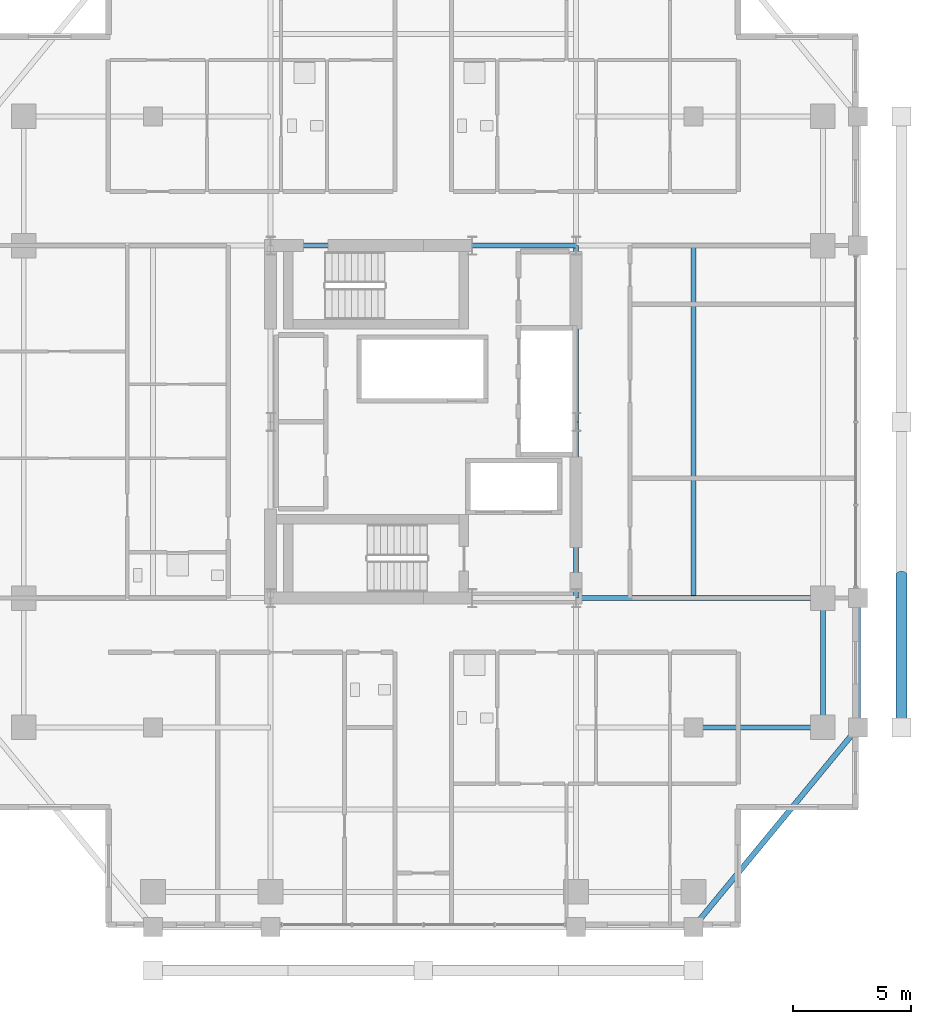
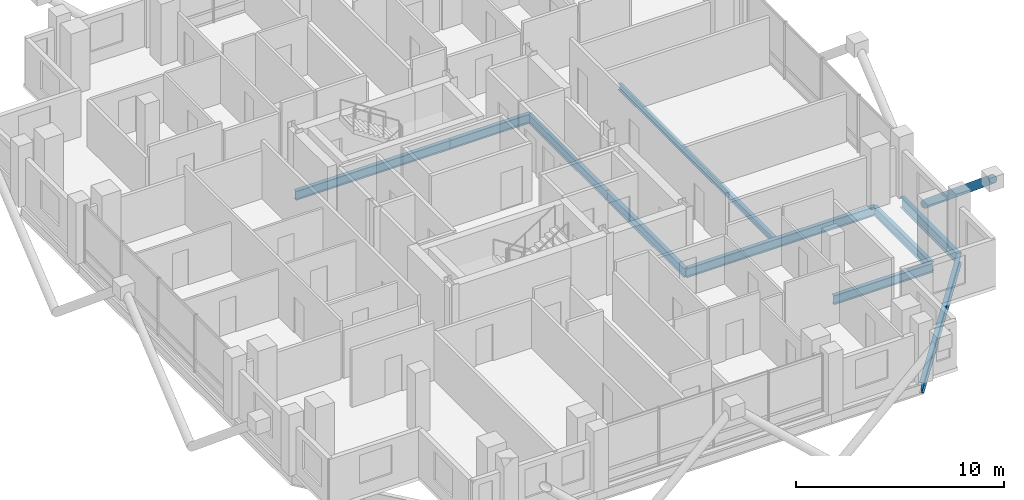
# One storey, part 9 of 24: 10 beams, 1 member.
"""IFC4 building model written with IfcOpenShell, lengths in metres."""

from ifc_helpers import new_model, si_unit, direction, frame, origin, origin_2d, place, context, subcontext, project, spatial, hollow_circle, i_section, extrude, material, material_profile, profile_set, type_object, element, save


model = new_model("IFC4")

# Units and contexts
model_context = context("Model", 3, precision=1e-05, world=origin(), true_north=direction((0.0, 1.0)))
body_context = subcontext(model_context, "Body", "Model", "MODEL_VIEW")
ifc_project = project(units=[si_unit("LENGTHUNIT", "METRE"), si_unit("AREAUNIT", "SQUARE_METRE"), si_unit("VOLUMEUNIT", "CUBIC_METRE"), si_unit("PLANEANGLEUNIT", "RADIAN"), si_unit("MASSUNIT", "GRAM", prefix="KILO")], contexts=[model_context])

# Site, building, storey
site_placement = place(None, origin())
site = spatial("IfcSite", under=ifc_project, at=site_placement, CompositionType="ELEMENT")
building_placement = place(site_placement, origin())
building = spatial("IfcBuilding", under=site, at=building_placement, Name="Barlavira Tower and Art Museum", CompositionType="ELEMENT")
storey_placement = place(building_placement, frame((0.0, 0.0, 183.60009765625)))
storey = spatial("IfcBuildingStorey", under=building, at=storey_placement, Name="L47", CompositionType="ELEMENT", Elevation=183.60009765625)

# Member
ifc_material = material(Name="Steel S355", Category="steel")
ifc_material_profile_1 = material_profile(ifc_material, hollow_circle(Radius=0.228515625, WallThickness=0.02001953125, at=origin_2d()), Name="CHS 457.0x20.0")
ifc_profile_set_1 = profile_set([ifc_material_profile_1], Name="Steel S355")
member_type = type_object("IfcMemberType", Name="Pale-Metal Exoskeleton Diagrid Tube CHS 457x20 Steel S355", PredefinedType="BRACE", material=ifc_profile_set_1)
member_placement = place(storey_placement, frame((20.35009765625, -6.5, -1.920166015625), z_axis=(0.0, -0.76918185268, 0.639029950399), x_axis=(1.0, 0.0, 0.0)))
element("IfcMember", 1, at=member_placement, inside=storey, type_object=member_type, Name="L47 Exoskeleton Diagrid Tube E", PredefinedType="BRACE", context=body_context, shape_type="SweptSolid", body=[
    extrude(hollow_circle(Radius=0.228515625, WallThickness=0.02001953125, at=origin_2d()), origin(), (0.0, 0.0, 1.0), 8.450439453125),
])

# Beams
ifc_material_profile_2 = material_profile(ifc_material, i_section(OverallWidth=0.22998046875, OverallDepth=0.616943359375, WebThickness=0.01318359375, FlangeThickness=0.022216796875, at=origin_2d()), Name="W610x140.0")
ifc_profile_set_2 = profile_set([ifc_material_profile_2], Name="Steel S355")
beam_type_1 = type_object("IfcBeamType", Name="Upper Shaft Spandrel Edge Beam W610x140 Steel S355", PredefinedType="SPANDREL", material=ifc_profile_set_2)
beam_1_placement = place(storey_placement, frame((11.5, -21.5, -0.528564453125), z_axis=(0.635707252861, 0.771930235617, 0.0), x_axis=(-0.771930235617, 0.635707252861, 0.0)))
element("IfcBeam", 2, at=beam_1_placement, inside=storey, type_object=beam_type_1, Name="L47 Spandrel 4", PredefinedType="SPANDREL", context=body_context, shape_type="SweptSolid", body=[
    extrude(i_section(OverallWidth=0.22998046875, OverallDepth=0.616943359375, WebThickness=0.01318359375, FlangeThickness=0.022216796875, at=origin_2d()), origin(), (0.0, 0.0, 1.0), 11.011474609375),
])
beam_2_placement = place(storey_placement, frame((18.5, -13.0, -0.528564453125), z_axis=(0.0, 1.0, 0.0), x_axis=(-1.0, 0.0, 0.0)))
element("IfcBeam", 3, at=beam_2_placement, inside=storey, type_object=beam_type_1, Name="L47 Spandrel 5", PredefinedType="SPANDREL", context=body_context, shape_type="SweptSolid", body=[
    extrude(i_section(OverallWidth=0.22998046875, OverallDepth=0.616943359375, WebThickness=0.01318359375, FlangeThickness=0.022216796875, at=origin_2d()), origin(), (0.0, 0.0, 1.0), 5.5),
])
ifc_material_profile_3 = material_profile(ifc_material, i_section(OverallWidth=0.205078125, OverallDepth=0.35400390625, WebThickness=0.009521484375, FlangeThickness=0.016845703125, at=origin_2d()), Name="W360x79.0")
ifc_profile_set_3 = profile_set([ifc_material_profile_3], Name="Steel S355")
beam_type_2 = type_object("IfcBeamType", Name="Zone 3 Composite Floor Joist W360x79 Steel S355", PredefinedType="JOIST", material=ifc_profile_set_3)
beam_3_placement = place(storey_placement, frame((11.5, -7.5, -0.397216796875), z_axis=(0.0, 1.0, 0.0), x_axis=(-1.0, 0.0, 0.0)))
element("IfcBeam", 4, at=beam_3_placement, inside=storey, type_object=beam_type_2, Name="L47 Joist W2", PredefinedType="JOIST", context=body_context, shape_type="SweptSolid", body=[
    extrude(i_section(OverallWidth=0.205078125, OverallDepth=0.35400390625, WebThickness=0.009521484375, FlangeThickness=0.016845703125, at=origin_2d()), origin(), (0.0, 0.0, 1.0), 15.0),
])
ifc_material_profile_4 = material_profile(ifc_material, i_section(OverallWidth=0.2109375, OverallDepth=0.5390625, WebThickness=0.01171875, FlangeThickness=0.018798828125, at=origin_2d()), Name="W530x109.0")
ifc_profile_set_4 = profile_set([ifc_material_profile_4], Name="Steel S355")
beam_type_3 = type_object("IfcBeamType", Name="Zone 3-4 Primary Floor Girder W530x109 Steel S355", PredefinedType="BEAM", material=ifc_profile_set_4)
beam_4_placement = place(storey_placement, frame((-6.5, 7.5, -0.489501953125), z_axis=(1.0, 0.0, 0.0), x_axis=(0.0, 1.0, 0.0)))
element("IfcBeam", 5, at=beam_4_placement, inside=storey, type_object=beam_type_3, Name="L47 Girder C-N1", PredefinedType="BEAM", context=body_context, shape_type="SweptSolid", body=[
    extrude(i_section(OverallWidth=0.2109375, OverallDepth=0.5390625, WebThickness=0.01171875, FlangeThickness=0.018798828125, at=origin_2d()), origin(), (0.0, 0.0, 1.0), 8.580078125),
])
beam_5_placement = place(storey_placement, frame((2.080078125, 7.5, -0.489501953125), z_axis=(1.0, 0.0, 0.0), x_axis=(0.0, 1.0, 0.0)))
element("IfcBeam", 6, at=beam_5_placement, inside=storey, type_object=beam_type_3, Name="L47 Girder C-N2", PredefinedType="BEAM", context=body_context, shape_type="SweptSolid", body=[
    extrude(i_section(OverallWidth=0.2109375, OverallDepth=0.5390625, WebThickness=0.01171875, FlangeThickness=0.018798828125, at=origin_2d()), origin(), (0.0, 0.0, 1.0), 4.419921875),
])
for number, where, z_axis, x_axis, name in (
    (7, (6.5, -7.5, -0.489501953125), (0.0, 1.0, 0.0), (-1.0, 0.0, 0.0), "L47 Girder C-E1"),
    (8, (6.5, 0.0, -0.489501953125), (0.0, 1.0, 0.0), (-1.0, 0.0, 0.0), "L47 Girder C-E2"),
):
    element("IfcBeam", number, at=place(storey_placement, frame(where, z_axis=z_axis, x_axis=x_axis)), inside=storey, type_object=beam_type_3, Name=name, PredefinedType="BEAM", context=body_context, shape_type="SweptSolid", body=[
        extrude(i_section(OverallWidth=0.2109375, OverallDepth=0.5390625, WebThickness=0.01171875, FlangeThickness=0.018798828125, at=origin_2d()), origin(), (0.0, 0.0, 1.0), 7.5),
    ])
beam_6_placement = place(storey_placement, frame((17.0, -13.0, -0.489501953125), z_axis=(0.0, 1.0, 0.0), x_axis=(-1.0, 0.0, 0.0)))
element("IfcBeam", 9, at=beam_6_placement, inside=storey, type_object=beam_type_3, Name="L47 Girder M-E1", PredefinedType="BEAM", context=body_context, shape_type="SweptSolid", body=[
    extrude(i_section(OverallWidth=0.2109375, OverallDepth=0.5390625, WebThickness=0.01171875, FlangeThickness=0.018798828125, at=origin_2d()), origin(), (0.0, 0.0, 1.0), 5.5),
])
beam_7_placement = place(storey_placement, frame((6.5, -7.5, -0.489501953125), z_axis=(1.0, 0.0, 0.0), x_axis=(0.0, 1.0, 0.0)))
element("IfcBeam", 10, at=beam_7_placement, inside=storey, type_object=beam_type_3, Name="L47 Girder R-E1", PredefinedType="BEAM", context=body_context, shape_type="SweptSolid", body=[
    extrude(i_section(OverallWidth=0.2109375, OverallDepth=0.5390625, WebThickness=0.01171875, FlangeThickness=0.018798828125, at=origin_2d()), origin(), (0.0, 0.0, 1.0), 10.5),
])
beam_8_placement = place(storey_placement, frame((11.5, -13.0, -0.489501953125), z_axis=(1.0, 0.0, 0.0), x_axis=(0.0, 1.0, 0.0)))
element("IfcBeam", 11, at=beam_8_placement, inside=storey, type_object=beam_type_3, Name="L47 Girder I-S4", PredefinedType="BEAM", context=body_context, shape_type="SweptSolid", body=[
    extrude(i_section(OverallWidth=0.2109375, OverallDepth=0.5390625, WebThickness=0.01171875, FlangeThickness=0.018798828125, at=origin_2d()), origin(), (0.0, 0.0, 1.0), 5.5),
])

save(model, "model.ifc")
